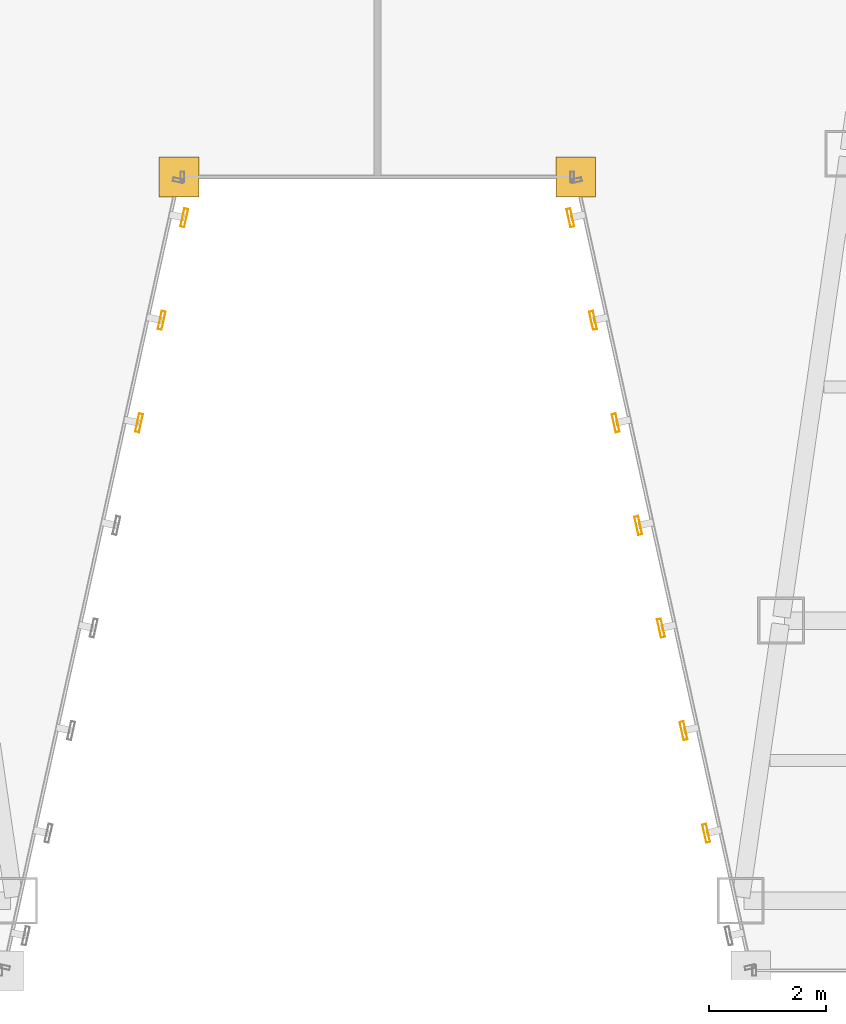
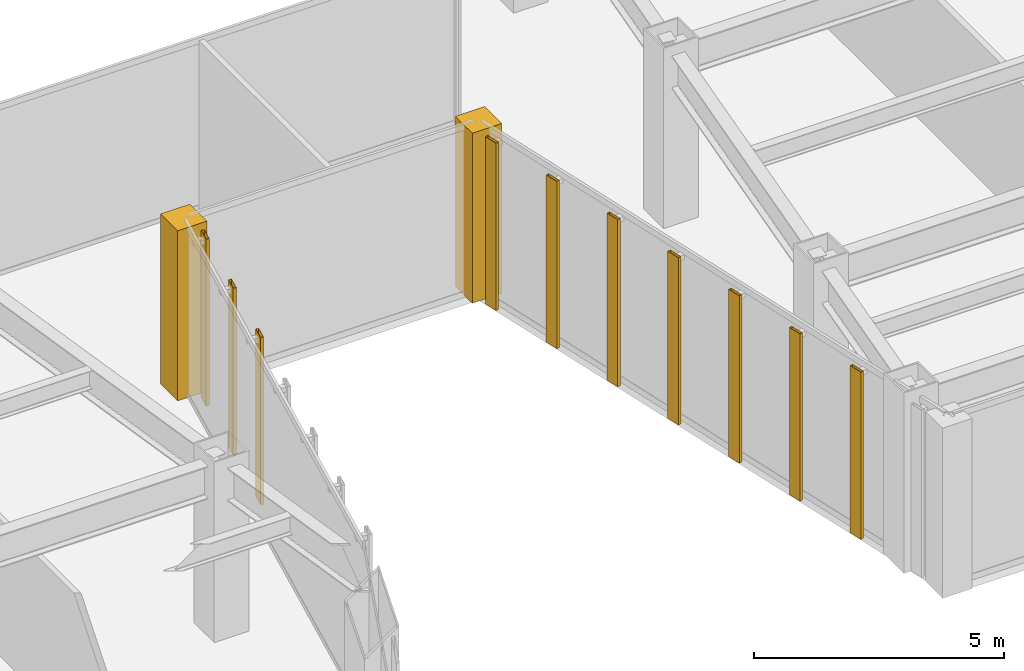
# One storey, part 42 of 47: 10 shading devices, 2 coverings.
"""IFC4 building model written with IfcOpenShell, lengths in metres."""

from ifc_helpers import new_model, si_unit, direction, frame, origin, origin_2d, place, context, subcontext, project, spatial, polyline, hollow_rectangle, outline, extrude, material, layer, layer_set, material_profile, profile_set, type_object, element, save


model = new_model("IFC4")

# Units and contexts
model_context = context("Model", 3, precision=1e-05, world=origin(), true_north=direction((0.0, 1.0)))
body_context = subcontext(model_context, "Body", "Model", "MODEL_VIEW")
ifc_project = project(units=[si_unit("LENGTHUNIT", "METRE"), si_unit("AREAUNIT", "SQUARE_METRE"), si_unit("VOLUMEUNIT", "CUBIC_METRE"), si_unit("PLANEANGLEUNIT", "RADIAN"), si_unit("MASSUNIT", "GRAM", prefix="KILO")], contexts=[model_context])

# Site, building, storey
site_placement = place(None, origin())
site = spatial("IfcSite", under=ifc_project, at=site_placement, CompositionType="ELEMENT")
building_placement = place(site_placement, origin())
building = spatial("IfcBuilding", under=site, at=building_placement, Name="Saevonmaru Cultural Tower", CompositionType="ELEMENT")
storey_placement = place(building_placement, frame((0.0, 0.0, 42.800048828125)))
storey = spatial("IfcBuildingStorey", under=building, at=storey_placement, Name="L08", CompositionType="ELEMENT", Elevation=42.800048828125)

# Coverings
ifc_material = material(Name="Satin Bronze Anodised Aluminium", Category="aluminium")
ifc_layer = layer(ifc_material, 0.679931640625, Name="Satin Bronze Anodised Aluminium")
ifc_layer_set = layer_set([ifc_layer], Name="Satin Bronze Anodised Aluminium")
covering_type = type_object("IfcCoveringType", Name="CV-CORNER-CLAD", PredefinedType="CLADDING", material=ifc_layer_set)
covering_1_placement = place(storey_placement, origin())
element("IfcCovering", 1, at=covering_1_placement, inside=storey, type_object=covering_type, Name="L08 Tower Bronze Corner Cladding Pier 4", PredefinedType="CLADDING", context=body_context, shape_type="SweptSolid", body=[
    extrude(outline(polyline([(26.260009765625, 15.260009765625), (26.93994140625, 15.260009765625), (26.93994140625, 15.93994140625), (26.260009765625, 15.93994140625), (26.260009765625, 15.260009765625)])), origin(), (0.0, 0.0, 1.0), 4.14990234375),
])
covering_2_placement = place(storey_placement, origin())
element("IfcCovering", 2, at=covering_2_placement, inside=storey, type_object=covering_type, Name="L08 Tower Bronze Corner Cladding Pier 5", PredefinedType="CLADDING", context=body_context, shape_type="SweptSolid", body=[
    extrude(outline(polyline([(33.06005859375, 15.260009765625), (33.739990234375, 15.260009765625), (33.739990234375, 15.93994140625), (33.06005859375, 15.93994140625), (33.06005859375, 15.260009765625)])), origin(), (0.0, 0.0, 1.0), 4.14990234375),
])

# Shading devices
ifc_material_profile = material_profile(ifc_material, hollow_rectangle(XDim=0.070068359375, YDim=0.320068359375, WallThickness=0.0048828125, at=origin_2d()), Name="FIN-320x70")
ifc_profile_set = profile_set([ifc_material_profile], Name="Satin Bronze Anodised Aluminium")
shading_device_type = type_object("IfcShadingDeviceType", Name="SHD-FIN-320", PredefinedType="JALOUSIE", material=ifc_profile_set)
for number, where, z_axis, x_axis, name in (
    (3, (25.916015625, 11.385009765625, 0.050048828125), (0.0, 0.0, 1.0), (0.976522126798, -0.215417120661, 0.0), "L08 Art Deco Sawtooth Bronze Fin E3-06"),
    (4, (26.3037109375, 13.142578125, 0.050048828125), (0.0, 0.0, 1.0), (0.976522126798, -0.215417120661, 0.0), "L08 Art Deco Sawtooth Bronze Fin E3-07"),
    (5, (26.69140625, 14.900390625, 0.050048828125), (0.0, 0.0, 1.0), (0.976522126798, -0.215417120661, 0.0), "L08 Art Deco Sawtooth Bronze Fin E3-08"),
    (6, (33.30859375, 14.900390625, 0.050048828125), (0.0, 0.0, 1.0), (-0.976522126798, -0.215417120661, 0.0), "L08 Art Deco Sawtooth Bronze Fin E5-01"),
    (7, (33.6962890625, 13.142578125, 0.050048828125), (0.0, 0.0, 1.0), (-0.976522126798, -0.215417120661, 0.0), "L08 Art Deco Sawtooth Bronze Fin E5-02"),
    (8, (34.083984375, 11.385009765625, 0.050048828125), (0.0, 0.0, 1.0), (-0.976522126798, -0.215417120661, 0.0), "L08 Art Deco Sawtooth Bronze Fin E5-03"),
    (9, (34.4716796875, 9.627197265625, 0.050048828125), (0.0, 0.0, 1.0), (-0.976522126798, -0.215417120661, 0.0), "L08 Art Deco Sawtooth Bronze Fin E5-04"),
    (10, (34.859619140625, 7.869384765625, 0.050048828125), (0.0, 0.0, 1.0), (-0.976522126798, -0.215417120661, 0.0), "L08 Art Deco Sawtooth Bronze Fin E5-05"),
    (11, (35.247314453125, 6.11181640625, 0.050048828125), (0.0, 0.0, 1.0), (-0.976522126798, -0.215417120661, 0.0), "L08 Art Deco Sawtooth Bronze Fin E5-06"),
    (12, (35.635009765625, 4.35400390625, 0.050048828125), (0.0, 0.0, 1.0), (-0.976522126798, -0.215417120661, 0.0), "L08 Art Deco Sawtooth Bronze Fin E5-07"),
):
    element("IfcShadingDevice", number, at=place(storey_placement, frame(where, z_axis=z_axis, x_axis=x_axis)), inside=storey, type_object=shading_device_type, Name=name, PredefinedType="JALOUSIE", context=body_context, shape_type="SweptSolid", body=[
        extrude(hollow_rectangle(XDim=0.070068359375, YDim=0.320068359375, WallThickness=0.0048828125, at=origin_2d()), origin(), (0.0, 0.0, 1.0), 4.079833984375),
    ])

save(model, "model.ifc")
